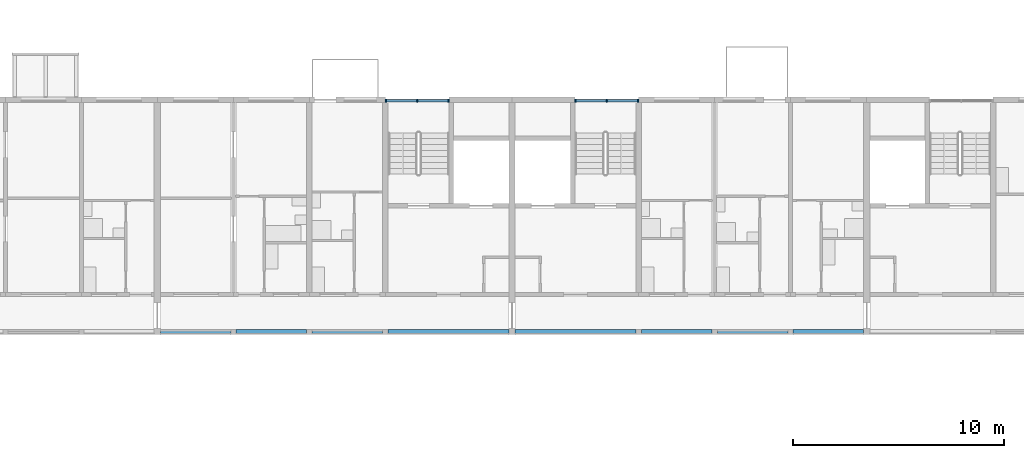
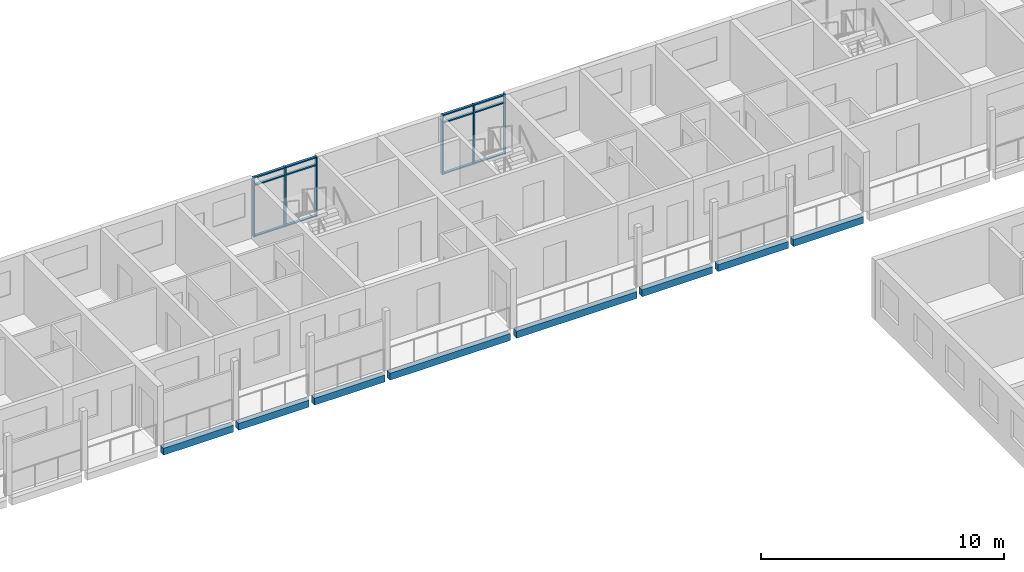
# One storey, part 18 of 122: 18 members, 8 beams, 2 elements without a shape of their own.
"""IFC4 building model written with IfcOpenShell, lengths in metres."""

from ifc_helpers import new_model, si_unit, direction, frame, origin, origin_2d, place, context, subcontext, project, spatial, rectangle, extrude, material, material_profile, profile_set, type_object, element, aggregate, save


model = new_model("IFC4")

# Units and contexts
model_context = context("Model", 3, precision=1e-05, world=origin(), true_north=direction((0.0, 1.0)))
body_context = subcontext(model_context, "Body", "Model", "MODEL_VIEW")
ifc_project = project(units=[si_unit("LENGTHUNIT", "METRE"), si_unit("AREAUNIT", "SQUARE_METRE"), si_unit("VOLUMEUNIT", "CUBIC_METRE"), si_unit("PLANEANGLEUNIT", "RADIAN"), si_unit("MASSUNIT", "GRAM", prefix="KILO")], contexts=[model_context])

# Site, building, storey
site_placement = place(None, origin())
site = spatial("IfcSite", under=ifc_project, at=site_placement, CompositionType="ELEMENT")
building_placement = place(site_placement, origin())
building = spatial("IfcBuilding", under=site, at=building_placement, Name="Ridgestep Commons", CompositionType="ELEMENT")
storey_placement = place(building_placement, frame((0.0, 0.0, 3.0)))
storey = spatial("IfcBuildingStorey", under=building, at=storey_placement, Name="L01", CompositionType="ELEMENT", Elevation=3.0)

# Beams
ifc_material_1 = material(Name="Precast concrete C40/50", Category="concrete")
ifc_material_profile_1 = material_profile(ifc_material_1, rectangle(XDim=0.25, YDim=0.35009765625, at=origin_2d()), Name="PC 250x350")
ifc_profile_set_1 = profile_set([ifc_material_profile_1], Name="Precast concrete C40/50")
beam_type = type_object("IfcBeamType", Name="Loggia edge beam 250 x 350", PredefinedType="SPANDREL", material=ifc_profile_set_1)
beam_1_placement = place(storey_placement, frame((62.550048828125, 66.125, -0.375), z_axis=(1.0, 0.0, 0.0), x_axis=(0.0, 1.0, 0.0)))
element("IfcBeam", 1, at=beam_1_placement, inside=storey, type_object=beam_type, Name="Loggia edge beam B4T1 L01", PredefinedType="SPANDREL", context=body_context, shape_type="SweptSolid", body=[
    extrude(rectangle(XDim=0.25, YDim=0.35009765625, at=origin_2d()), origin(), (0.0, 0.0, 1.0), 3.324951171875),
])
beam_2_placement = place(storey_placement, frame((66.125, 66.125, -0.375), z_axis=(1.0, 0.0, 0.0), x_axis=(0.0, 1.0, 0.0)))
element("IfcBeam", 2, at=beam_2_placement, inside=storey, type_object=beam_type, Name="Loggia edge beam B4T2 L01", PredefinedType="SPANDREL", context=body_context, shape_type="SweptSolid", body=[
    extrude(rectangle(XDim=0.25, YDim=0.35009765625, at=origin_2d()), origin(), (0.0, 0.0, 1.0), 3.35009765625),
])
beam_3_placement = place(storey_placement, frame((69.72509765625, 66.125, -0.375), z_axis=(1.0, 0.0, 0.0), x_axis=(0.0, 1.0, 0.0)))
element("IfcBeam", 3, at=beam_3_placement, inside=storey, type_object=beam_type, Name="Loggia edge beam B4T3 L01", PredefinedType="SPANDREL", context=body_context, shape_type="SweptSolid", body=[
    extrude(rectangle(XDim=0.25, YDim=0.35009765625, at=origin_2d()), origin(), (0.0, 0.0, 1.0), 3.349853515625),
])
beam_4_placement = place(storey_placement, frame((73.324951171875, 66.125, -0.375), z_axis=(1.0, 0.0, 0.0), x_axis=(0.0, 1.0, 0.0)))
element("IfcBeam", 4, at=beam_4_placement, inside=storey, type_object=beam_type, Name="Loggia edge beam B4C L01", PredefinedType="SPANDREL", context=body_context, shape_type="SweptSolid", body=[
    extrude(rectangle(XDim=0.25, YDim=0.35009765625, at=origin_2d()), origin(), (0.0, 0.0, 1.0), 5.72509765625),
])
beam_5_placement = place(storey_placement, frame((79.35009765625, 66.125, -0.375), z_axis=(1.0, 0.0, 0.0), x_axis=(0.0, 1.0, 0.0)))
element("IfcBeam", 5, at=beam_5_placement, inside=storey, type_object=beam_type, Name="Loggia edge beam B5C L01", PredefinedType="SPANDREL", context=body_context, shape_type="SweptSolid", body=[
    extrude(rectangle(XDim=0.25, YDim=0.35009765625, at=origin_2d()), origin(), (0.0, 0.0, 1.0), 5.724853515625),
])
beam_6_placement = place(storey_placement, frame((85.324951171875, 66.125, -0.375), z_axis=(1.0, 0.0, 0.0), x_axis=(0.0, 1.0, 0.0)))
element("IfcBeam", 6, at=beam_6_placement, inside=storey, type_object=beam_type, Name="Loggia edge beam B5T3 L01", PredefinedType="SPANDREL", context=body_context, shape_type="SweptSolid", body=[
    extrude(rectangle(XDim=0.25, YDim=0.35009765625, at=origin_2d()), origin(), (0.0, 0.0, 1.0), 3.35009765625),
])
beam_7_placement = place(storey_placement, frame((88.925048828125, 66.125, -0.375), z_axis=(1.0, 0.0, 0.0), x_axis=(0.0, 1.0, 0.0)))
element("IfcBeam", 7, at=beam_7_placement, inside=storey, type_object=beam_type, Name="Loggia edge beam B5T2 L01", PredefinedType="SPANDREL", context=body_context, shape_type="SweptSolid", body=[
    extrude(rectangle(XDim=0.25, YDim=0.35009765625, at=origin_2d()), origin(), (0.0, 0.0, 1.0), 3.349853515625),
])
beam_8_placement = place(storey_placement, frame((92.52490234375, 66.125, -0.375), z_axis=(1.0, 0.0, 0.0), x_axis=(0.0, 1.0, 0.0)))
element("IfcBeam", 8, at=beam_8_placement, inside=storey, type_object=beam_type, Name="Loggia edge beam B5T1 L01", PredefinedType="SPANDREL", context=body_context, shape_type="SweptSolid", body=[
    extrude(rectangle(XDim=0.25, YDim=0.35009765625, at=origin_2d()), origin(), (0.0, 0.0, 1.0), 3.3251953125),
])

# Curtain wall, members
ifc_material_2 = material(Name="Aluminium 6063-T6 and glass", Category="aluminium")
curtain_wall_type = type_object("IfcCurtainWallType", Name="Curtain wall stair strip", PredefinedType="NOTDEFINED", material=ifc_material_2)
curtain_wall_1_placement = place(storey_placement, origin())
curtain_wall_1 = element("IfcCurtainWall", 9, at=curtain_wall_1_placement, inside=storey, type_object=curtain_wall_type, Name="Curtain wall B4C level 01", PredefinedType="NOTDEFINED")
ifc_material_3 = material(Name="Aluminium 6063-T6", Category="aluminium")
ifc_material_profile_2 = material_profile(ifc_material_3, rectangle(XDim=0.159912109375, YDim=0.06005859375, at=origin_2d()), Name="Mullion 60 x 160")
ifc_profile_set_2 = profile_set([ifc_material_profile_2], Name="Aluminium 6063-T6")
member_type_1 = type_object("IfcMemberType", Name="Mullion 60 x 160", PredefinedType="MULLION", material=ifc_profile_set_2)
member_1_placement = place(storey_placement, frame((73.22998046875, 77.080078125, 0.0), z_axis=(0.0, 0.0, 1.0), x_axis=(0.0, 1.0, 0.0)))
member_1 = element("IfcMember", 10, at=member_1_placement, type_object=member_type_1, Name="CW1 mullion 1", PredefinedType="MULLION", context=body_context, shape_type="SweptSolid", body=[
    extrude(rectangle(XDim=0.159912109375, YDim=0.06005859375, at=origin_2d()), origin(), (0.0, 0.0, 1.0), 3.0),
])
member_2_placement = place(storey_placement, frame((74.71240234375, 77.080078125, 0.0), z_axis=(0.0, 0.0, 1.0), x_axis=(0.0, 1.0, 0.0)))
member_2 = element("IfcMember", 11, at=member_2_placement, type_object=member_type_1, Name="CW1 mullion 2", PredefinedType="MULLION", context=body_context, shape_type="SweptSolid", body=[
    extrude(rectangle(XDim=0.159912109375, YDim=0.06005859375, at=origin_2d()), origin(), (0.0, 0.0, 1.0), 3.0),
])
member_3_placement = place(storey_placement, frame((76.195068359375, 77.080078125, 0.0), z_axis=(0.0, 0.0, 1.0), x_axis=(0.0, 1.0, 0.0)))
member_3 = element("IfcMember", 12, at=member_3_placement, type_object=member_type_1, Name="CW1 mullion 3", PredefinedType="MULLION", context=body_context, shape_type="SweptSolid", body=[
    extrude(rectangle(XDim=0.159912109375, YDim=0.06005859375, at=origin_2d()), origin(), (0.0, 0.0, 1.0), 3.0),
])

curtain_wall_2_placement = place(storey_placement, origin())
curtain_wall_2 = element("IfcCurtainWall", 13, at=curtain_wall_2_placement, inside=storey, type_object=curtain_wall_type, Name="Curtain wall B5C level 01", PredefinedType="NOTDEFINED")
member_4_placement = place(storey_placement, frame((82.205078125, 77.080078125, 0.0), z_axis=(0.0, 0.0, 1.0), x_axis=(0.0, 1.0, 0.0)))
member_4 = element("IfcMember", 14, at=member_4_placement, type_object=member_type_1, Name="CW1 mullion 1", PredefinedType="MULLION", context=body_context, shape_type="SweptSolid", body=[
    extrude(rectangle(XDim=0.159912109375, YDim=0.06005859375, at=origin_2d()), origin(), (0.0, 0.0, 1.0), 3.0),
])
member_5_placement = place(storey_placement, frame((83.6875, 77.080078125, 0.0), z_axis=(0.0, 0.0, 1.0), x_axis=(0.0, 1.0, 0.0)))
member_5 = element("IfcMember", 15, at=member_5_placement, type_object=member_type_1, Name="CW1 mullion 2", PredefinedType="MULLION", context=body_context, shape_type="SweptSolid", body=[
    extrude(rectangle(XDim=0.159912109375, YDim=0.06005859375, at=origin_2d()), origin(), (0.0, 0.0, 1.0), 3.0),
])
member_6_placement = place(storey_placement, frame((85.169921875, 77.080078125, 0.0), z_axis=(0.0, 0.0, 1.0), x_axis=(0.0, 1.0, 0.0)))
member_6 = element("IfcMember", 16, at=member_6_placement, type_object=member_type_1, Name="CW1 mullion 3", PredefinedType="MULLION", context=body_context, shape_type="SweptSolid", body=[
    extrude(rectangle(XDim=0.159912109375, YDim=0.06005859375, at=origin_2d()), origin(), (0.0, 0.0, 1.0), 3.0),
])

# Member
ifc_material_4 = material(Name="Aluminium 6063-T6", Category="aluminium")
ifc_material_profile_3 = material_profile(ifc_material_4, rectangle(XDim=0.1201171875, YDim=0.06005859375, at=origin_2d()), Name="Transom 60 x 120")
ifc_profile_set_3 = profile_set([ifc_material_profile_3], Name="Aluminium 6063-T6")
member_type_2 = type_object("IfcMemberType", Name="Transom 60 x 120", PredefinedType="USERDEFINED", material=ifc_profile_set_3)
member_7_placement = place(storey_placement, frame((73.260009765625, 77.080078125, 0.030029296875), z_axis=(1.0, 0.0, 0.0), x_axis=(0.0, 1.0, 0.0)))
member_7 = element("IfcMember", 17, at=member_7_placement, type_object=member_type_2, Name="CW1 transom 1.1", ObjectType="TRANSOM", PredefinedType="USERDEFINED", context=body_context, shape_type="SweptSolid", body=[
    extrude(rectangle(XDim=0.1201171875, YDim=0.06005859375, at=origin_2d()), origin(), (0.0, 0.0, 1.0), 1.422607421875),
])

member_8_placement = place(storey_placement, frame((73.260009765625, 77.080078125, 2.590087890625), z_axis=(1.0, 0.0, 0.0), x_axis=(0.0, 1.0, 0.0)))
member_8 = element("IfcMember", 18, at=member_8_placement, type_object=member_type_2, Name="CW1 transom 1.2", ObjectType="TRANSOM", PredefinedType="USERDEFINED", context=body_context, shape_type="SweptSolid", body=[
    extrude(rectangle(XDim=0.1201171875, YDim=0.06005859375, at=origin_2d()), origin(), (0.0, 0.0, 1.0), 1.422607421875),
])

member_9_placement = place(storey_placement, frame((73.260009765625, 77.080078125, 2.969970703125), z_axis=(1.0, 0.0, 0.0), x_axis=(0.0, 1.0, 0.0)))
member_9 = element("IfcMember", 19, at=member_9_placement, type_object=member_type_2, Name="CW1 transom 1.3", ObjectType="TRANSOM", PredefinedType="USERDEFINED", context=body_context, shape_type="SweptSolid", body=[
    extrude(rectangle(XDim=0.1201171875, YDim=0.06005859375, at=origin_2d()), origin(), (0.0, 0.0, 1.0), 1.422607421875),
])

member_10_placement = place(storey_placement, frame((74.742431640625, 77.080078125, 0.030029296875), z_axis=(1.0, 0.0, 0.0), x_axis=(0.0, 1.0, 0.0)))
member_10 = element("IfcMember", 20, at=member_10_placement, type_object=member_type_2, Name="CW1 transom 2.1", ObjectType="TRANSOM", PredefinedType="USERDEFINED", context=body_context, shape_type="SweptSolid", body=[
    extrude(rectangle(XDim=0.1201171875, YDim=0.06005859375, at=origin_2d()), origin(), (0.0, 0.0, 1.0), 1.422607421875),
])

member_11_placement = place(storey_placement, frame((74.742431640625, 77.080078125, 2.590087890625), z_axis=(1.0, 0.0, 0.0), x_axis=(0.0, 1.0, 0.0)))
member_11 = element("IfcMember", 21, at=member_11_placement, type_object=member_type_2, Name="CW1 transom 2.2", ObjectType="TRANSOM", PredefinedType="USERDEFINED", context=body_context, shape_type="SweptSolid", body=[
    extrude(rectangle(XDim=0.1201171875, YDim=0.06005859375, at=origin_2d()), origin(), (0.0, 0.0, 1.0), 1.422607421875),
])

member_12_placement = place(storey_placement, frame((74.742431640625, 77.080078125, 2.969970703125), z_axis=(1.0, 0.0, 0.0), x_axis=(0.0, 1.0, 0.0)))
member_12 = element("IfcMember", 22, at=member_12_placement, type_object=member_type_2, Name="CW1 transom 2.3", ObjectType="TRANSOM", PredefinedType="USERDEFINED", context=body_context, shape_type="SweptSolid", body=[
    extrude(rectangle(XDim=0.1201171875, YDim=0.06005859375, at=origin_2d()), origin(), (0.0, 0.0, 1.0), 1.422607421875),
])

aggregate(curtain_wall_1, [member_1, member_2, member_3, member_7, member_8, member_9, member_10, member_11, member_12])

member_13_placement = place(storey_placement, frame((82.235107421875, 77.080078125, 0.030029296875), z_axis=(1.0, 0.0, 0.0), x_axis=(0.0, 1.0, 0.0)))
member_13 = element("IfcMember", 23, at=member_13_placement, type_object=member_type_2, Name="CW1 transom 1.1", ObjectType="TRANSOM", PredefinedType="USERDEFINED", context=body_context, shape_type="SweptSolid", body=[
    extrude(rectangle(XDim=0.1201171875, YDim=0.06005859375, at=origin_2d()), origin(), (0.0, 0.0, 1.0), 1.42236328125),
])

member_14_placement = place(storey_placement, frame((82.235107421875, 77.080078125, 2.590087890625), z_axis=(1.0, 0.0, 0.0), x_axis=(0.0, 1.0, 0.0)))
member_14 = element("IfcMember", 24, at=member_14_placement, type_object=member_type_2, Name="CW1 transom 1.2", ObjectType="TRANSOM", PredefinedType="USERDEFINED", context=body_context, shape_type="SweptSolid", body=[
    extrude(rectangle(XDim=0.1201171875, YDim=0.06005859375, at=origin_2d()), origin(), (0.0, 0.0, 1.0), 1.42236328125),
])

member_15_placement = place(storey_placement, frame((82.235107421875, 77.080078125, 2.969970703125), z_axis=(1.0, 0.0, 0.0), x_axis=(0.0, 1.0, 0.0)))
member_15 = element("IfcMember", 25, at=member_15_placement, type_object=member_type_2, Name="CW1 transom 1.3", ObjectType="TRANSOM", PredefinedType="USERDEFINED", context=body_context, shape_type="SweptSolid", body=[
    extrude(rectangle(XDim=0.1201171875, YDim=0.06005859375, at=origin_2d()), origin(), (0.0, 0.0, 1.0), 1.42236328125),
])

member_16_placement = place(storey_placement, frame((83.717529296875, 77.080078125, 0.030029296875), z_axis=(1.0, 0.0, 0.0), x_axis=(0.0, 1.0, 0.0)))
member_16 = element("IfcMember", 26, at=member_16_placement, type_object=member_type_2, Name="CW1 transom 2.1", ObjectType="TRANSOM", PredefinedType="USERDEFINED", context=body_context, shape_type="SweptSolid", body=[
    extrude(rectangle(XDim=0.1201171875, YDim=0.06005859375, at=origin_2d()), origin(), (0.0, 0.0, 1.0), 1.42236328125),
])

member_17_placement = place(storey_placement, frame((83.717529296875, 77.080078125, 2.590087890625), z_axis=(1.0, 0.0, 0.0), x_axis=(0.0, 1.0, 0.0)))
member_17 = element("IfcMember", 27, at=member_17_placement, type_object=member_type_2, Name="CW1 transom 2.2", ObjectType="TRANSOM", PredefinedType="USERDEFINED", context=body_context, shape_type="SweptSolid", body=[
    extrude(rectangle(XDim=0.1201171875, YDim=0.06005859375, at=origin_2d()), origin(), (0.0, 0.0, 1.0), 1.42236328125),
])

member_18_placement = place(storey_placement, frame((83.717529296875, 77.080078125, 2.969970703125), z_axis=(1.0, 0.0, 0.0), x_axis=(0.0, 1.0, 0.0)))
member_18 = element("IfcMember", 28, at=member_18_placement, type_object=member_type_2, Name="CW1 transom 2.3", ObjectType="TRANSOM", PredefinedType="USERDEFINED", context=body_context, shape_type="SweptSolid", body=[
    extrude(rectangle(XDim=0.1201171875, YDim=0.06005859375, at=origin_2d()), origin(), (0.0, 0.0, 1.0), 1.42236328125),
])

aggregate(curtain_wall_2, [member_4, member_5, member_6, member_13, member_14, member_15, member_16, member_17, member_18])

save(model, "model.ifc")
